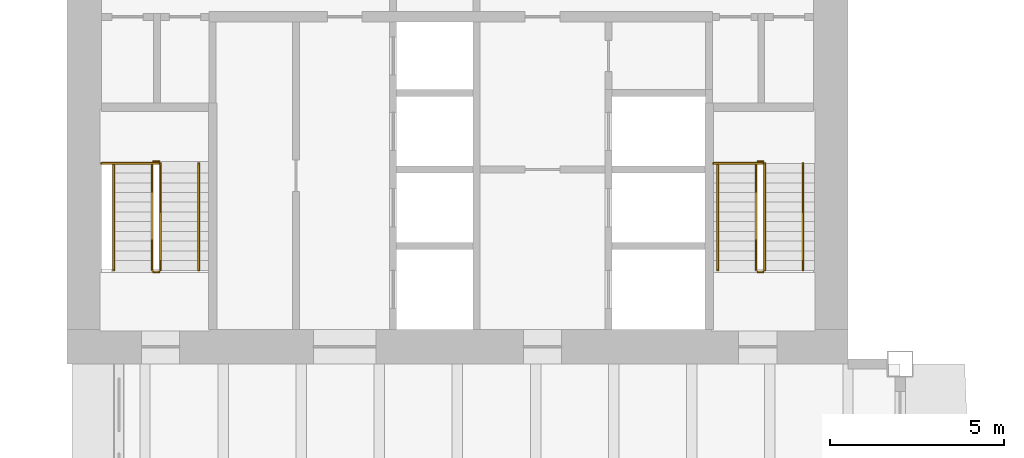
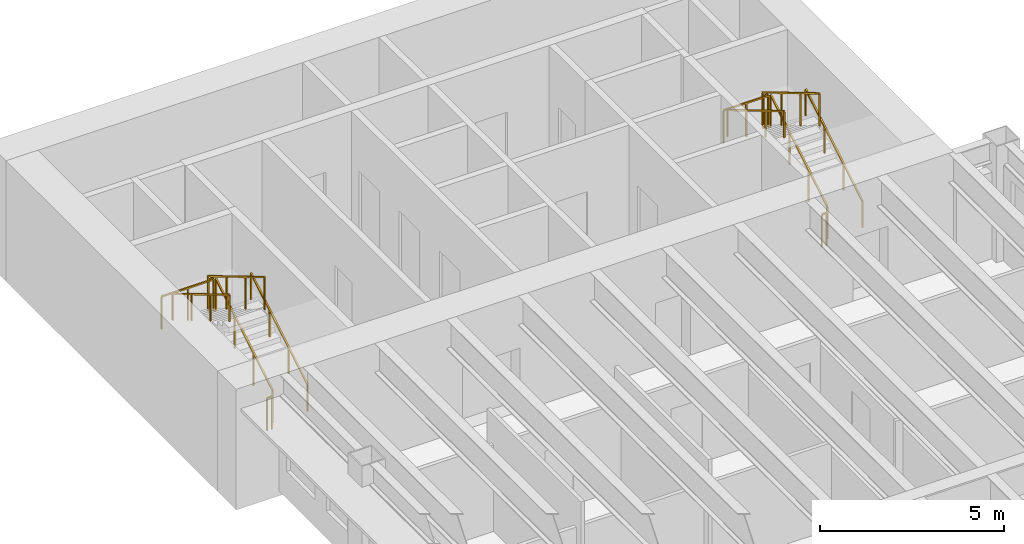
# One storey, part 16 of 16: 14 railings.
"""IFC4 building model written with IfcOpenShell, lengths in metres."""

from ifc_helpers import new_model, si_unit, direction, frame, origin, origin_2d, place, context, subcontext, project, spatial, rectangle, extrude, material, type_object, element, save


model = new_model("IFC4")

# Units and contexts
model_context = context("Model", 3, precision=1e-05, world=origin(), true_north=direction((0.0, 1.0)))
body_context = subcontext(model_context, "Body", "Model", "MODEL_VIEW")
ifc_project = project(units=[si_unit("LENGTHUNIT", "METRE"), si_unit("AREAUNIT", "SQUARE_METRE"), si_unit("VOLUMEUNIT", "CUBIC_METRE"), si_unit("PLANEANGLEUNIT", "RADIAN"), si_unit("MASSUNIT", "GRAM", prefix="KILO")], contexts=[model_context])

# Site, building, storey
site_placement = place(None, origin())
site = spatial("IfcSite", under=ifc_project, at=site_placement, CompositionType="ELEMENT")
building_placement = place(site_placement, origin())
building = spatial("IfcBuilding", under=site, at=building_placement, Name="Sennacour Bend Tower", CompositionType="ELEMENT")
storey_placement = place(building_placement, frame((0.0, 0.0, 231.0)))
storey = spatial("IfcBuildingStorey", under=building, at=storey_placement, Name="L53", CompositionType="ELEMENT", Elevation=231.0)

# Railings
ifc_material = material(Name="Stainless steel", Category="steel")
railing_type_1 = type_object("IfcRailingType", Name="RL-GUARD-1100", PredefinedType="GUARDRAIL", material=ifc_material)
railing_1_placement = place(storey_placement, frame((2.699951171875, 38.699951171875, 0.166748046875)))
element("IfcRailing", 1, at=railing_1_placement, inside=storey, type_object=railing_type_1, Name="L53 SB1 stair guard 1", PredefinedType="GUARDRAIL", context=body_context, shape_type="SweptSolid", body=[
    extrude(rectangle(XDim=0.048095703125, YDim=0.048095703125, at=origin_2d()), frame((0.0, 0.0, 1.076171875), z_axis=(0.0, 0.859308565015, 0.511457515432), x_axis=(-1.0, 0.0, 0.0)), (0.0, 0.0, 1.0), 3.58447265625),
    extrude(rectangle(XDim=0.0419921875, YDim=0.0419921875, at=origin_2d()), origin(), (0.0, 0.0, 1.0), 1.052001953125),
    extrude(rectangle(XDim=0.0419921875, YDim=0.0419921875, at=origin_2d()), frame((0.0, 1.026611328125, 0.611083984375)), (0.0, 0.0, 1.0), 1.052001953125),
    extrude(rectangle(XDim=0.0419921875, YDim=0.0419921875, at=origin_2d()), frame((0.0, 2.053466796875, 1.22216796875)), (0.0, 0.0, 1.0), 1.052001953125),
    extrude(rectangle(XDim=0.0419921875, YDim=0.0419921875, at=origin_2d()), frame((0.0, 3.080078125, 1.833251953125)), (0.0, 0.0, 1.0), 1.052001953125),
])
railing_2_placement = place(storey_placement, frame((2.64990234375, 41.830078125, 2.0)))
element("IfcRailing", 2, at=railing_2_placement, inside=storey, type_object=railing_type_1, Name="L53 SB1 stair guard 2", PredefinedType="GUARDRAIL", context=body_context, shape_type="SweptSolid", body=[
    extrude(rectangle(XDim=0.048095703125, YDim=0.048095703125, at=origin_2d()), frame((0.0, 0.0, 1.076171875), z_axis=(-1.0, 0.0, 0.0), x_axis=(0.0, -1.0, 0.0)), (0.0, 0.0, 1.0), 0.14990234375),
    extrude(rectangle(XDim=0.0419921875, YDim=0.0419921875, at=origin_2d()), origin(), (0.0, 0.0, 1.0), 1.052001953125),
    extrude(rectangle(XDim=0.0419921875, YDim=0.0419921875, at=origin_2d()), frame((-0.14990234375, 0.0, 0.0)), (0.0, 0.0, 1.0), 1.052001953125),
])
railing_3_placement = place(storey_placement, frame((2.449951171875, 41.780029296875, 2.166748046875)))
element("IfcRailing", 3, at=railing_3_placement, inside=storey, type_object=railing_type_1, Name="L53 SB1 stair guard 4", PredefinedType="GUARDRAIL", context=body_context, shape_type="SweptSolid", body=[
    extrude(rectangle(XDim=0.048095703125, YDim=0.048095703125, at=origin_2d()), frame((0.0, 0.0, 1.076171875), z_axis=(0.0, -0.859308565015, 0.511457515432), x_axis=(1.0, 0.0, 0.0)), (0.0, 0.0, 1.0), 3.58447265625),
    extrude(rectangle(XDim=0.0419921875, YDim=0.0419921875, at=origin_2d()), origin(), (0.0, 0.0, 1.0), 1.052001953125),
    extrude(rectangle(XDim=0.0419921875, YDim=0.0419921875, at=origin_2d()), frame((0.0, -1.026611328125, 0.611083984375)), (0.0, 0.0, 1.0), 1.052001953125),
    extrude(rectangle(XDim=0.0419921875, YDim=0.0419921875, at=origin_2d()), frame((0.0, -2.053466796875, 1.22216796875)), (0.0, 0.0, 1.0), 1.052001953125),
    extrude(rectangle(XDim=0.0419921875, YDim=0.0419921875, at=origin_2d()), frame((0.0, -3.080078125, 1.833251953125)), (0.0, 0.0, 1.0), 1.052001953125),
])
railing_4_placement = place(storey_placement, frame((2.64990234375, 38.64990234375, 0.0)))
element("IfcRailing", 4, at=railing_4_placement, inside=storey, type_object=railing_type_1, Name="L53 SB1 stair guard 5", PredefinedType="GUARDRAIL", context=body_context, shape_type="SweptSolid", body=[
    extrude(rectangle(XDim=0.048095703125, YDim=0.048095703125, at=origin_2d()), frame((0.0, 0.0, 1.076171875), z_axis=(-1.0, 0.0, 0.0), x_axis=(0.0, -1.0, 0.0)), (0.0, 0.0, 1.0), 0.14990234375),
    extrude(rectangle(XDim=0.0419921875, YDim=0.0419921875, at=origin_2d()), origin(), (0.0, 0.0, 1.0), 1.052001953125),
    extrude(rectangle(XDim=0.0419921875, YDim=0.0419921875, at=origin_2d()), frame((-0.14990234375, 0.0, 0.0)), (0.0, 0.0, 1.0), 1.052001953125),
])
railing_5_placement = place(storey_placement, frame((2.64990234375, 41.780029296875, 2.0)))
element("IfcRailing", 5, at=railing_5_placement, inside=storey, type_object=railing_type_1, Name="L53 SB1 landing edge guard 81", PredefinedType="GUARDRAIL", context=body_context, shape_type="SweptSolid", body=[
    extrude(rectangle(XDim=0.048095703125, YDim=0.048095703125, at=origin_2d()), frame((0.0, 0.0, 1.076171875), z_axis=(-1.0, 0.0, 0.0), x_axis=(0.0, -1.0, 0.0)), (0.0, 0.0, 1.0), 1.64990234375),
    extrude(rectangle(XDim=0.0419921875, YDim=0.0419921875, at=origin_2d()), origin(), (0.0, 0.0, 1.0), 1.052001953125),
    extrude(rectangle(XDim=0.0419921875, YDim=0.0419921875, at=origin_2d()), frame((-0.824951171875, 0.0, 0.0)), (0.0, 0.0, 1.0), 1.052001953125),
    extrude(rectangle(XDim=0.0419921875, YDim=0.0419921875, at=origin_2d()), frame((-1.64990234375, 0.0, 0.0)), (0.0, 0.0, 1.0), 1.052001953125),
])
railing_6_placement = place(storey_placement, frame((20.10009765625, 38.699951171875, 0.166748046875)))
element("IfcRailing", 6, at=railing_6_placement, inside=storey, type_object=railing_type_1, Name="L53 SB2 stair guard 1", PredefinedType="GUARDRAIL", context=body_context, shape_type="SweptSolid", body=[
    extrude(rectangle(XDim=0.048095703125, YDim=0.048095703125, at=origin_2d()), frame((0.0, 0.0, 1.076171875), z_axis=(0.0, 0.859308565015, 0.511457515432), x_axis=(-1.0, 0.0, 0.0)), (0.0, 0.0, 1.0), 3.58447265625),
    extrude(rectangle(XDim=0.0419921875, YDim=0.0419921875, at=origin_2d()), origin(), (0.0, 0.0, 1.0), 1.052001953125),
    extrude(rectangle(XDim=0.0419921875, YDim=0.0419921875, at=origin_2d()), frame((0.0, 1.026611328125, 0.611083984375)), (0.0, 0.0, 1.0), 1.052001953125),
    extrude(rectangle(XDim=0.0419921875, YDim=0.0419921875, at=origin_2d()), frame((0.0, 2.053466796875, 1.22216796875)), (0.0, 0.0, 1.0), 1.052001953125),
    extrude(rectangle(XDim=0.0419921875, YDim=0.0419921875, at=origin_2d()), frame((0.0, 3.080078125, 1.833251953125)), (0.0, 0.0, 1.0), 1.052001953125),
])
railing_7_placement = place(storey_placement, frame((20.050048828125, 41.830078125, 2.0)))
element("IfcRailing", 7, at=railing_7_placement, inside=storey, type_object=railing_type_1, Name="L53 SB2 stair guard 2", PredefinedType="GUARDRAIL", context=body_context, shape_type="SweptSolid", body=[
    extrude(rectangle(XDim=0.048095703125, YDim=0.048095703125, at=origin_2d()), frame((0.0, 0.0, 1.076171875), z_axis=(-1.0, 0.0, 0.0), x_axis=(0.0, -1.0, 0.0)), (0.0, 0.0, 1.0), 0.150146484375),
    extrude(rectangle(XDim=0.0419921875, YDim=0.0419921875, at=origin_2d()), origin(), (0.0, 0.0, 1.0), 1.052001953125),
    extrude(rectangle(XDim=0.0419921875, YDim=0.0419921875, at=origin_2d()), frame((-0.150146484375, 0.0, 0.0)), (0.0, 0.0, 1.0), 1.052001953125),
])
railing_8_placement = place(storey_placement, frame((19.85009765625, 41.780029296875, 2.166748046875)))
element("IfcRailing", 8, at=railing_8_placement, inside=storey, type_object=railing_type_1, Name="L53 SB2 stair guard 4", PredefinedType="GUARDRAIL", context=body_context, shape_type="SweptSolid", body=[
    extrude(rectangle(XDim=0.048095703125, YDim=0.048095703125, at=origin_2d()), frame((0.0, 0.0, 1.076171875), z_axis=(0.0, -0.859308565015, 0.511457515432), x_axis=(1.0, 0.0, 0.0)), (0.0, 0.0, 1.0), 3.58447265625),
    extrude(rectangle(XDim=0.0419921875, YDim=0.0419921875, at=origin_2d()), origin(), (0.0, 0.0, 1.0), 1.052001953125),
    extrude(rectangle(XDim=0.0419921875, YDim=0.0419921875, at=origin_2d()), frame((0.0, -1.026611328125, 0.611083984375)), (0.0, 0.0, 1.0), 1.052001953125),
    extrude(rectangle(XDim=0.0419921875, YDim=0.0419921875, at=origin_2d()), frame((0.0, -2.053466796875, 1.22216796875)), (0.0, 0.0, 1.0), 1.052001953125),
    extrude(rectangle(XDim=0.0419921875, YDim=0.0419921875, at=origin_2d()), frame((0.0, -3.080078125, 1.833251953125)), (0.0, 0.0, 1.0), 1.052001953125),
])
railing_9_placement = place(storey_placement, frame((20.050048828125, 38.64990234375, 0.0)))
element("IfcRailing", 9, at=railing_9_placement, inside=storey, type_object=railing_type_1, Name="L53 SB2 stair guard 5", PredefinedType="GUARDRAIL", context=body_context, shape_type="SweptSolid", body=[
    extrude(rectangle(XDim=0.048095703125, YDim=0.048095703125, at=origin_2d()), frame((0.0, 0.0, 1.076171875), z_axis=(-1.0, 0.0, 0.0), x_axis=(0.0, -1.0, 0.0)), (0.0, 0.0, 1.0), 0.150146484375),
    extrude(rectangle(XDim=0.0419921875, YDim=0.0419921875, at=origin_2d()), origin(), (0.0, 0.0, 1.0), 1.052001953125),
    extrude(rectangle(XDim=0.0419921875, YDim=0.0419921875, at=origin_2d()), frame((-0.150146484375, 0.0, 0.0)), (0.0, 0.0, 1.0), 1.052001953125),
])
railing_10_placement = place(storey_placement, frame((20.050048828125, 41.780029296875, 2.0)))
element("IfcRailing", 10, at=railing_10_placement, inside=storey, type_object=railing_type_1, Name="L53 SB2 landing edge guard 70", PredefinedType="GUARDRAIL", context=body_context, shape_type="SweptSolid", body=[
    extrude(rectangle(XDim=0.048095703125, YDim=0.048095703125, at=origin_2d()), frame((0.0, 0.0, 1.076171875), z_axis=(-1.0, 0.0, 0.0), x_axis=(0.0, -1.0, 0.0)), (0.0, 0.0, 1.0), 1.425048828125),
    extrude(rectangle(XDim=0.0419921875, YDim=0.0419921875, at=origin_2d()), origin(), (0.0, 0.0, 1.0), 1.052001953125),
    extrude(rectangle(XDim=0.0419921875, YDim=0.0419921875, at=origin_2d()), frame((-0.71240234375, 0.0, 0.0)), (0.0, 0.0, 1.0), 1.052001953125),
    extrude(rectangle(XDim=0.0419921875, YDim=0.0419921875, at=origin_2d()), frame((-1.425048828125, 0.0, 0.0)), (0.0, 0.0, 1.0), 1.052001953125),
])
railing_type_2 = type_object("IfcRailingType", Name="RL-HANDRAIL-900", PredefinedType="HANDRAIL", material=ifc_material)
railing_11_placement = place(storey_placement, frame((3.800048828125, 38.699951171875, 0.166748046875)))
element("IfcRailing", 11, at=railing_11_placement, inside=storey, type_object=railing_type_2, Name="L53 SB1 stair handrail 1", PredefinedType="HANDRAIL", context=body_context, shape_type="SweptSolid", body=[
    extrude(rectangle(XDim=0.048095703125, YDim=0.048095703125, at=origin_2d()), frame((0.0, 0.0, 0.8759765625), z_axis=(0.0, 0.859308565015, 0.511457515432), x_axis=(-1.0, 0.0, 0.0)), (0.0, 0.0, 1.0), 3.58447265625),
    extrude(rectangle(XDim=0.0419921875, YDim=0.0419921875, at=origin_2d()), origin(), (0.0, 0.0, 1.0), 0.851806640625),
    extrude(rectangle(XDim=0.0419921875, YDim=0.0419921875, at=origin_2d()), frame((0.0, 1.026611328125, 0.611083984375)), (0.0, 0.0, 1.0), 0.851806640625),
    extrude(rectangle(XDim=0.0419921875, YDim=0.0419921875, at=origin_2d()), frame((0.0, 2.053466796875, 1.22216796875)), (0.0, 0.0, 1.0), 0.851806640625),
    extrude(rectangle(XDim=0.0419921875, YDim=0.0419921875, at=origin_2d()), frame((0.0, 3.080078125, 1.833251953125)), (0.0, 0.0, 1.0), 0.851806640625),
])
railing_12_placement = place(storey_placement, frame((1.35009765625, 41.780029296875, 2.166748046875)))
element("IfcRailing", 12, at=railing_12_placement, inside=storey, type_object=railing_type_2, Name="L53 SB1 stair handrail 2", PredefinedType="HANDRAIL", context=body_context, shape_type="SweptSolid", body=[
    extrude(rectangle(XDim=0.048095703125, YDim=0.048095703125, at=origin_2d()), frame((0.0, 0.0, 0.8759765625), z_axis=(0.0, -0.859308565015, 0.511457515432), x_axis=(1.0, 0.0, 0.0)), (0.0, 0.0, 1.0), 3.58447265625),
    extrude(rectangle(XDim=0.0419921875, YDim=0.0419921875, at=origin_2d()), origin(), (0.0, 0.0, 1.0), 0.851806640625),
    extrude(rectangle(XDim=0.0419921875, YDim=0.0419921875, at=origin_2d()), frame((0.0, -1.026611328125, 0.611083984375)), (0.0, 0.0, 1.0), 0.851806640625),
    extrude(rectangle(XDim=0.0419921875, YDim=0.0419921875, at=origin_2d()), frame((0.0, -2.053466796875, 1.22216796875)), (0.0, 0.0, 1.0), 0.851806640625),
    extrude(rectangle(XDim=0.0419921875, YDim=0.0419921875, at=origin_2d()), frame((0.0, -3.080078125, 1.833251953125)), (0.0, 0.0, 1.0), 0.851806640625),
])
railing_13_placement = place(storey_placement, frame((21.199951171875, 38.699951171875, 0.166748046875)))
element("IfcRailing", 13, at=railing_13_placement, inside=storey, type_object=railing_type_2, Name="L53 SB2 stair handrail 1", PredefinedType="HANDRAIL", context=body_context, shape_type="SweptSolid", body=[
    extrude(rectangle(XDim=0.048095703125, YDim=0.048095703125, at=origin_2d()), frame((0.0, 0.0, 0.8759765625), z_axis=(0.0, 0.859308565015, 0.511457515432), x_axis=(-1.0, 0.0, 0.0)), (0.0, 0.0, 1.0), 3.58447265625),
    extrude(rectangle(XDim=0.0419921875, YDim=0.0419921875, at=origin_2d()), origin(), (0.0, 0.0, 1.0), 0.851806640625),
    extrude(rectangle(XDim=0.0419921875, YDim=0.0419921875, at=origin_2d()), frame((0.0, 1.026611328125, 0.611083984375)), (0.0, 0.0, 1.0), 0.851806640625),
    extrude(rectangle(XDim=0.0419921875, YDim=0.0419921875, at=origin_2d()), frame((0.0, 2.053466796875, 1.22216796875)), (0.0, 0.0, 1.0), 0.851806640625),
    extrude(rectangle(XDim=0.0419921875, YDim=0.0419921875, at=origin_2d()), frame((0.0, 3.080078125, 1.833251953125)), (0.0, 0.0, 1.0), 0.851806640625),
])
railing_14_placement = place(storey_placement, frame((18.75, 41.780029296875, 2.166748046875)))
element("IfcRailing", 14, at=railing_14_placement, inside=storey, type_object=railing_type_2, Name="L53 SB2 stair handrail 2", PredefinedType="HANDRAIL", context=body_context, shape_type="SweptSolid", body=[
    extrude(rectangle(XDim=0.048095703125, YDim=0.048095703125, at=origin_2d()), frame((0.0, 0.0, 0.8759765625), z_axis=(0.0, -0.859308565015, 0.511457515432), x_axis=(1.0, 0.0, 0.0)), (0.0, 0.0, 1.0), 3.58447265625),
    extrude(rectangle(XDim=0.0419921875, YDim=0.0419921875, at=origin_2d()), origin(), (0.0, 0.0, 1.0), 0.851806640625),
    extrude(rectangle(XDim=0.0419921875, YDim=0.0419921875, at=origin_2d()), frame((0.0, -1.026611328125, 0.611083984375)), (0.0, 0.0, 1.0), 0.851806640625),
    extrude(rectangle(XDim=0.0419921875, YDim=0.0419921875, at=origin_2d()), frame((0.0, -2.053466796875, 1.22216796875)), (0.0, 0.0, 1.0), 0.851806640625),
    extrude(rectangle(XDim=0.0419921875, YDim=0.0419921875, at=origin_2d()), frame((0.0, -3.080078125, 1.833251953125)), (0.0, 0.0, 1.0), 0.851806640625),
])

save(model, "model.ifc")
